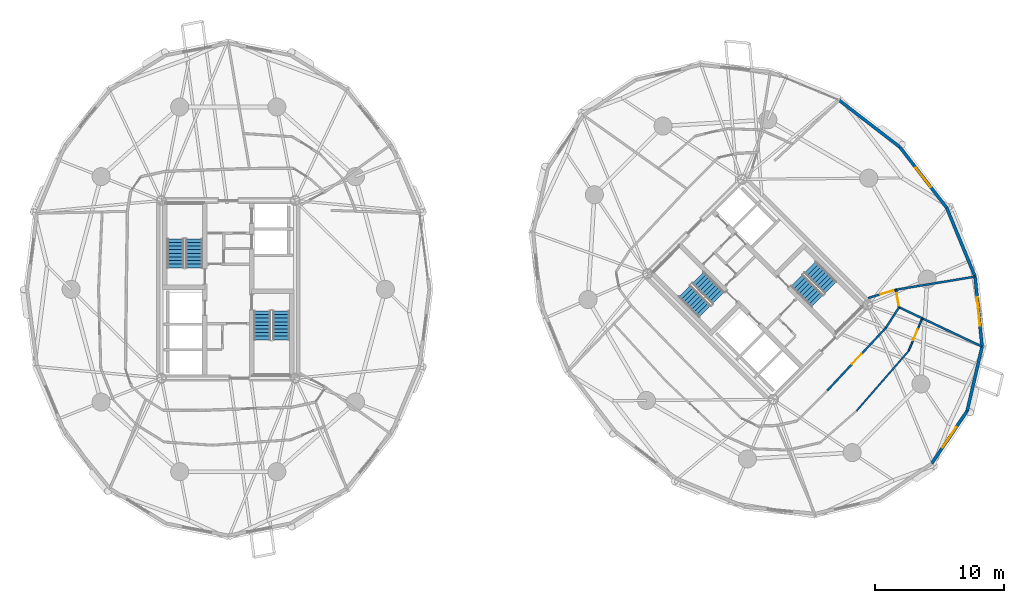
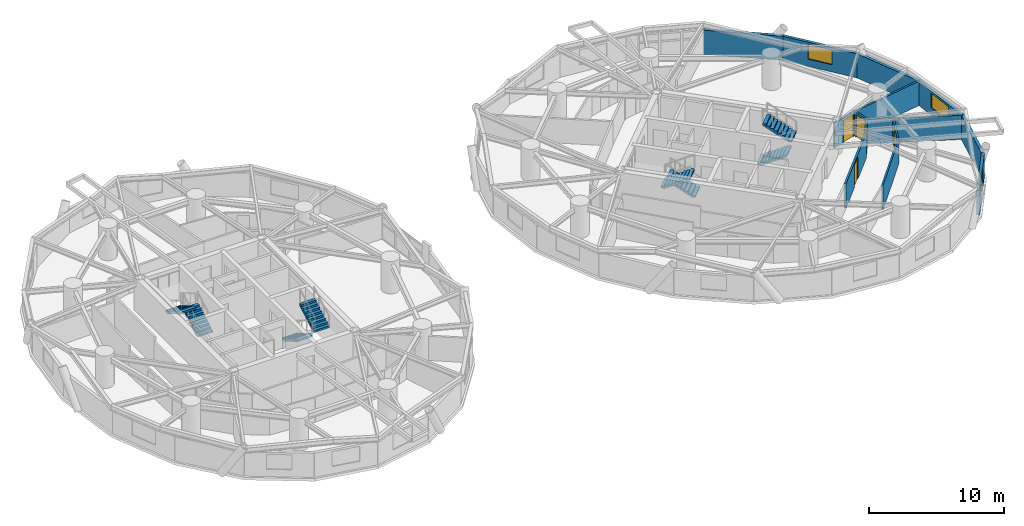
# One storey, part 15 of 17: 14 walls, 8 stair flights, 4 doors, 3 windows, 7 openings, 4 elements without a shape of their own.
"""IFC4 building model written with IfcOpenShell, lengths in metres."""

from ifc_helpers import new_model, si_unit, direction, frame, frame_2d, origin, place, context, subcontext, project, spatial, polyline, rectangle, outline, extrude, source, transform, mapped, material, layer, layer_set, type_object, element, fill, aggregate, save


model = new_model("IFC4")

# Units and contexts
model_context = context("Model", 3, precision=1e-05, world=origin(), true_north=direction((0.0, 1.0)))
body_context = subcontext(model_context, "Body", "Model", "MODEL_VIEW")
ifc_project = project(units=[si_unit("LENGTHUNIT", "METRE"), si_unit("AREAUNIT", "SQUARE_METRE"), si_unit("VOLUMEUNIT", "CUBIC_METRE"), si_unit("PLANEANGLEUNIT", "RADIAN"), si_unit("MASSUNIT", "GRAM", prefix="KILO")], contexts=[model_context])

# Site, building, storey
site_placement = place(None, origin())
site = spatial("IfcSite", under=ifc_project, at=site_placement, CompositionType="ELEMENT")
building_placement = place(site_placement, origin())
building = spatial("IfcBuilding", under=site, at=building_placement, Name="Cununo Teusaquillo Station Towers", CompositionType="ELEMENT")
storey_placement = place(building_placement, frame((0.0, 0.0, 107.97998046875)))
storey = spatial("IfcBuildingStorey", under=building, at=storey_placement, Name="L34", CompositionType="ELEMENT", Elevation=107.97998046875)

# Wall
ifc_material_1 = material(Name="Precast concrete C40/50", Category="concrete")
ifc_layer_1 = layer(ifc_material_1, 0.239990234375)
ifc_layer_set_1 = layer_set([ifc_layer_1], Name="Precast concrete C40/50")
wall_type_1 = type_object("IfcWallType", Name="WL-EXT-240", PredefinedType="SOLIDWALL", material=ifc_layer_set_1)
wall_1_placement = place(storey_placement, frame((63.811279296875, 39.145263671875, 0.0), z_axis=(0.0, 0.0, 1.0), x_axis=(0.791982052206, -0.61054437102, 0.0)))
element("IfcWall", 1, at=wall_1_placement, inside=storey, type_object=wall_type_1, Name="L34 Tower B Exterior Facade Wall C00", PredefinedType="SOLIDWALL", context=body_context, shape_type="SweptSolid", body=[
    extrude(rectangle(XDim=5.942138671875, YDim=0.239990234375, at=frame_2d((2.97119140625, 0.0))), origin(), (0.0, 0.0, 1.0), 2.178955078125),
])

# Wall, opening, window
wall_2_placement = place(storey_placement, frame((73.72900390625, 15.080078125, 0.0), z_axis=(0.0, 0.0, 1.0), x_axis=(-0.559572880421, -0.828781148131, 0.0)))
wall_2 = element("IfcWall", 2, at=wall_2_placement, inside=storey, type_object=wall_type_1, Name="L34 Tower B Exterior Facade Wall C15", PredefinedType="SOLIDWALL", context=body_context, shape_type="SweptSolid", body=[
    extrude(rectangle(XDim=4.904541015625, YDim=0.239990234375, at=frame_2d((2.4521484375, 0.0))), origin(), (0.0, 0.0, 1.0), 2.178955078125),
])
shared_shape_1 = source(origin(), body_context, "Body", "SweptSolid", [
    extrude(rectangle(XDim=1.89990234375, YDim=1.35009765625, at=frame_2d((0.949951171875, 0.675048828125))), frame((0.0, 0.1298828125, 0.0), z_axis=(0.0, -1.0, 0.0), x_axis=(1.0, 0.0, 0.0)), (0.0, 0.0, 1.0), 0.260009765625),
])
opening_1_placement = place(wall_2_placement, frame((1.501953125, 0.0, 0.64990234375)))
opening_1 = element("IfcOpeningElement", 3, at=opening_1_placement, cuts=wall_2, Name="Opening WN-02", PredefinedType="OPENING", context=body_context, shape_type="MappedRepresentation", body=[
    mapped(shared_shape_1, transform((0.0, 0.0, 0.0), x_axis=(1.0, 0.0, 0.0), y_axis=(0.0, 1.0, 0.0), z_axis=(0.0, 0.0, 1.0), scale=1.0)),
])
ifc_material_2 = material(Name="Operable acoustic tinted low-E double glazing", Category="glass")
window_type_1 = type_object("IfcWindowType", Name="WIN-OPER-1900", PartitioningType="DOUBLE_PANEL_VERTICAL", PredefinedType="WINDOW", material=ifc_material_2)
shared_shape_2 = source(origin(), body_context, "Body", "SweptSolid", [
    extrude(rectangle(XDim=1.89990234375, YDim=1.35009765625, at=frame_2d((0.949951171875, 0.675048828125))), frame((0.0, 0.030029296875, 0.0), z_axis=(0.0, -1.0, 0.0), x_axis=(1.0, 0.0, 0.0)), (0.0, 0.0, 1.0), 0.06005859375),
])
window_1_placement = place(opening_1_placement, origin())
window_1 = element("IfcWindow", 4, at=window_1_placement, inside=storey, type_object=window_type_1, Name="L34 Tower B Facade Window C15", OverallHeight=1.35009765625, OverallWidth=1.89990234375, PartitioningType="DOUBLE_PANEL_VERTICAL", PredefinedType="WINDOW", context=body_context, shape_type="MappedRepresentation", body=[
    mapped(shared_shape_2, transform((0.0, 0.0, 0.0), x_axis=(1.0, 0.0, 0.0), y_axis=(0.0, 1.0, 0.0), z_axis=(0.0, 0.0, 1.0), scale=1.0)),
])
fill(opening_1, window_1)

# Wall
wall_3_placement = place(storey_placement, frame((74.885009765625, 20.066650390625, 0.0), z_axis=(0.0, 0.0, 1.0), x_axis=(-0.225834725257, -0.974165631126, 0.0)))
element("IfcWall", 5, at=wall_3_placement, inside=storey, type_object=wall_type_1, Name="L34 Tower B Exterior Facade Wall C16", PredefinedType="SOLIDWALL", context=body_context, shape_type="SweptSolid", body=[
    extrude(rectangle(XDim=5.118896484375, YDim=0.239990234375, at=frame_2d((2.5595703125, 0.0))), origin(), (0.0, 0.0, 1.0), 2.178955078125),
])

# Wall, opening, window
wall_4_placement = place(storey_placement, frame((74.33935546875, 25.4873046875, 0.0), z_axis=(0.0, 0.0, 1.0), x_axis=(0.10015591906, -0.994971754311, 0.0)))
wall_4 = element("IfcWall", 6, at=wall_4_placement, inside=storey, type_object=wall_type_1, Name="L34 Tower B Exterior Facade Wall C17", PredefinedType="SOLIDWALL", context=body_context, shape_type="SweptSolid", body=[
    extrude(rectangle(XDim=5.447998046875, YDim=0.239990234375, at=frame_2d((2.72412109375, 0.0))), origin(), (0.0, 0.0, 1.0), 2.178955078125),
])
shared_shape_3 = source(origin(), body_context, "Body", "SweptSolid", [
    extrude(rectangle(XDim=2.199951171875, YDim=1.35009765625, at=frame_2d((1.10009765625, 0.675048828125))), frame((0.0, 0.1298828125, 0.0), z_axis=(0.0, -1.0, 0.0), x_axis=(1.0, 0.0, 0.0)), (0.0, 0.0, 1.0), 0.260009765625),
])
opening_2_placement = place(wall_4_placement, frame((1.6240234375, 0.0, 0.64990234375)))
opening_2 = element("IfcOpeningElement", 7, at=opening_2_placement, cuts=wall_4, Name="Opening WN-01", PredefinedType="OPENING", context=body_context, shape_type="MappedRepresentation", body=[
    mapped(shared_shape_3, transform((0.0, 0.0, 0.0), x_axis=(1.0, 0.0, 0.0), y_axis=(0.0, 1.0, 0.0), z_axis=(0.0, 0.0, 1.0), scale=1.0)),
])
ifc_material_3 = material(Name="Ceramic-fritted dark low-E double glazing", Category="glass")
window_type_2 = type_object("IfcWindowType", Name="WIN-FRIT-2200", PartitioningType="DOUBLE_PANEL_VERTICAL", PredefinedType="WINDOW", material=ifc_material_3)
shared_shape_4 = source(origin(), body_context, "Body", "SweptSolid", [
    extrude(rectangle(XDim=2.199951171875, YDim=1.35009765625, at=frame_2d((1.10009765625, 0.675048828125))), frame((0.0, 0.030029296875, 0.0), z_axis=(0.0, -1.0, 0.0), x_axis=(1.0, 0.0, 0.0)), (0.0, 0.0, 1.0), 0.06005859375),
])
window_2_placement = place(opening_2_placement, origin())
window_2 = element("IfcWindow", 8, at=window_2_placement, inside=storey, type_object=window_type_2, Name="L34 Tower B Facade Window C17", OverallHeight=1.35009765625, OverallWidth=2.199951171875, PartitioningType="DOUBLE_PANEL_VERTICAL", PredefinedType="WINDOW", context=body_context, shape_type="MappedRepresentation", body=[
    mapped(shared_shape_4, transform((0.0, 0.0, 0.0), x_axis=(1.0, 0.0, 0.0), y_axis=(0.0, 1.0, 0.0), z_axis=(0.0, 0.0, 1.0), scale=1.0)),
])
fill(opening_2, window_2)

# Wall
wall_5_placement = place(storey_placement, frame((72.145263671875, 30.811279296875, 0.0), z_axis=(0.0, 0.0, 1.0), x_axis=(0.381027003055, -0.924563909604, 0.0)))
element("IfcWall", 9, at=wall_5_placement, inside=storey, type_object=wall_type_1, Name="L34 Tower B Exterior Facade Wall C18", PredefinedType="SOLIDWALL", context=body_context, shape_type="SweptSolid", body=[
    extrude(rectangle(XDim=5.75830078125, YDim=0.239990234375, at=frame_2d((2.879150390625, 0.0))), origin(), (0.0, 0.0, 1.0), 2.178955078125),
])

# Wall, opening, window
wall_6_placement = place(storey_placement, frame((68.517333984375, 35.517333984375, 0.0), z_axis=(0.0, 0.0, 1.0), x_axis=(0.61054437102, -0.791982052206, 0.0)))
wall_6 = element("IfcWall", 10, at=wall_6_placement, inside=storey, type_object=wall_type_1, Name="L34 Tower B Exterior Facade Wall C19", PredefinedType="SOLIDWALL", context=body_context, shape_type="SweptSolid", body=[
    extrude(rectangle(XDim=5.942138671875, YDim=0.239990234375, at=frame_2d((2.97119140625, 0.0))), origin(), (0.0, 0.0, 1.0), 2.178955078125),
])
opening_3_placement = place(wall_6_placement, frame((2.02099609375, 0.0, 0.64990234375)))
opening_3 = element("IfcOpeningElement", 11, at=opening_3_placement, cuts=wall_6, Name="Opening WN-02", PredefinedType="OPENING", context=body_context, shape_type="MappedRepresentation", body=[
    mapped(shared_shape_1, transform((0.0, 0.0, 0.0), x_axis=(1.0, 0.0, 0.0), y_axis=(0.0, 1.0, 0.0), z_axis=(0.0, 0.0, 1.0), scale=1.0)),
])
window_3_placement = place(opening_3_placement, origin())
window_3 = element("IfcWindow", 12, at=window_3_placement, inside=storey, type_object=window_type_1, Name="L34 Tower B Facade Window C19", OverallHeight=1.35009765625, OverallWidth=1.89990234375, PartitioningType="DOUBLE_PANEL_VERTICAL", PredefinedType="WINDOW", context=body_context, shape_type="MappedRepresentation", body=[
    mapped(shared_shape_2, transform((0.0, 0.0, 0.0), x_axis=(1.0, 0.0, 0.0), y_axis=(0.0, 1.0, 0.0), z_axis=(0.0, 0.0, 1.0), scale=1.0)),
])
fill(opening_3, window_3)

# Wall
ifc_material_4 = material(Name="Fire-rated gypsum plasterboard partition assembly", Category="gypsum")
ifc_layer_2 = layer(ifc_material_4, 0.125)
ifc_layer_set_2 = layer_set([ifc_layer_2], Name="Fire-rated gypsum plasterboard partition assembly")
wall_type_2 = type_object("IfcWallType", Name="WL-PART-125", PredefinedType="PARTITIONING", material=ifc_layer_set_2)
wall_7_placement = place(storey_placement, frame((65.16162109375, 15.088134765625, 0.0), z_axis=(0.0, 0.0, 1.0), x_axis=(0.656379509785, 0.754430871011, 0.0)))
element("IfcWall", 13, at=wall_7_placement, inside=storey, type_object=wall_type_2, Name="L34 Tower B Cultural Attache Workplace Concentric Partition Wall C15", PredefinedType="PARTITIONING", context=body_context, shape_type="SweptSolid", body=[
    extrude(rectangle(XDim=6.14013671875, YDim=0.125, at=frame_2d((3.070068359375, 0.0))), origin(), (0.0, 0.0, 1.0), 2.22509765625),
])

# Wall, opening, door
wall_8_placement = place(storey_placement, frame((69.19189453125, 19.720458984375, 0.0), z_axis=(0.0, 0.0, 1.0), x_axis=(0.384899070029, 0.922958669655, 0.0)))
wall_8 = element("IfcWall", 14, at=wall_8_placement, inside=storey, type_object=wall_type_2, Name="L34 Tower B Cultural Attache Workplace Concentric Partition Wall C16", PredefinedType="PARTITIONING", context=body_context, shape_type="SweptSolid", body=[
    extrude(rectangle(XDim=2.749755859375, YDim=0.125, at=frame_2d((1.375, 0.0))), origin(), (0.0, 0.0, 1.0), 2.178955078125),
])
shared_shape_5 = source(origin(), body_context, "Body", "SweptSolid", [
    extrude(rectangle(XDim=0.89990234375, YDim=2.0048828125, at=frame_2d((0.449951171875, 1.00244140625))), frame((0.0, 0.072509765625, 0.0), z_axis=(0.0, -1.0, 0.0), x_axis=(1.0, 0.0, 0.0)), (0.0, 0.0, 1.0), 0.14501953125),
])
opening_4_placement = place(wall_8_placement, frame((0.9248046875, 0.0, 0.0)))
opening_4 = element("IfcOpeningElement", 15, at=opening_4_placement, cuts=wall_8, Name="Opening D-IN1", PredefinedType="OPENING", context=body_context, shape_type="MappedRepresentation", body=[
    mapped(shared_shape_5, transform((0.0, 0.0, 0.0), x_axis=(1.0, 0.0, 0.0), y_axis=(0.0, 1.0, 0.0), z_axis=(0.0, 0.0, 1.0), scale=1.0)),
])
ifc_material_5 = material(Name="Acoustic solid-core hardwood leaf assembly", Category="wood")
door_type_1 = type_object("IfcDoorType", Name="DR-INT-900", OperationType="NOTDEFINED", PredefinedType="DOOR", material=ifc_material_5)
shared_shape_6 = source(origin(), body_context, "Body", "SweptSolid", [
    extrude(rectangle(XDim=0.89990234375, YDim=2.0048828125, at=frame_2d((0.449951171875, 1.00244140625))), frame((0.0, 0.02490234375, 0.0), z_axis=(0.0, -1.0, 0.0), x_axis=(1.0, 0.0, 0.0)), (0.0, 0.0, 1.0), 0.050048828125),
])
door_1_placement = place(opening_4_placement, origin())
door_1 = element("IfcDoor", 16, at=door_1_placement, inside=storey, type_object=door_type_1, Name="L34 Tower B Cultural Attache Workplace Connecting Door", OperationType="SINGLE_SWING_RIGHT", OverallHeight=2.0048828125, OverallWidth=0.89990234375, PredefinedType="DOOR", context=body_context, shape_type="MappedRepresentation", body=[
    mapped(shared_shape_6, transform((0.0, 0.0, 0.0), x_axis=(1.0, 0.0, 0.0), y_axis=(0.0, 1.0, 0.0), z_axis=(0.0, 0.0, 1.0), scale=1.0)),
])
fill(opening_4, door_1)

ifc_material_6 = material(Name="Fire-rated gypsum plasterboard partition assembly", Category="gypsum")
ifc_layer_3 = layer(ifc_material_6, 0.14990234375)
ifc_layer_set_3 = layer_set([ifc_layer_3], Name="Fire-rated gypsum plasterboard partition assembly")
wall_type_3 = type_object("IfcWallType", Name="WL-PART-150", PredefinedType="PARTITIONING", material=ifc_layer_set_3)
wall_9_placement = place(storey_placement, frame((62.902587890625, 16.66650390625, 0.0), z_axis=(0.0, 0.0, 1.0), x_axis=(0.682371947497, 0.731005147225, 0.0)))
wall_9 = element("IfcWall", 17, at=wall_9_placement, inside=storey, type_object=wall_type_3, Name="L34 Tower B Corridor Ring Wall C15", PredefinedType="PARTITIONING", context=body_context, shape_type="SweptSolid", body=[
    extrude(rectangle(XDim=6.6416015625, YDim=0.14990234375, at=frame_2d((3.32080078125, 0.0))), origin(), (0.0, 0.0, 1.0), 2.22509765625),
])
shared_shape_7 = source(origin(), body_context, "Body", "SweptSolid", [
    extrude(rectangle(XDim=1.050048828125, YDim=2.014892578125, at=frame_2d((0.52490234375, 1.00732421875))), frame((0.0, 0.0849609375, 0.0), z_axis=(0.0, -1.0, 0.0), x_axis=(1.0, 0.0, 0.0)), (0.0, 0.0, 1.0), 0.169921875),
])
opening_5_placement = place(wall_9_placement, frame((2.7958984375, 0.0, 0.0)))
opening_5 = element("IfcOpeningElement", 18, at=opening_5_placement, cuts=wall_9, Name="Opening D-SU1", PredefinedType="OPENING", context=body_context, shape_type="MappedRepresentation", body=[
    mapped(shared_shape_7, transform((0.0, 0.0, 0.0), x_axis=(1.0, 0.0, 0.0), y_axis=(0.0, 1.0, 0.0), z_axis=(0.0, 0.0, 1.0), scale=1.0)),
])
ifc_material_7 = material(Name="Acoustic solid-core hardwood leaf assembly", Category="wood")
door_type_2 = type_object("IfcDoorType", Name="DR-SUITE-1050", OperationType="NOTDEFINED", PredefinedType="DOOR", material=ifc_material_7)
shared_shape_8 = source(origin(), body_context, "Body", "SweptSolid", [
    extrude(rectangle(XDim=1.050048828125, YDim=2.014892578125, at=frame_2d((0.52490234375, 1.00732421875))), frame((0.0, 0.02490234375, 0.0), z_axis=(0.0, -1.0, 0.0), x_axis=(1.0, 0.0, 0.0)), (0.0, 0.0, 1.0), 0.050048828125),
])
door_2_placement = place(opening_5_placement, origin())
door_2 = element("IfcDoor", 19, at=door_2_placement, inside=storey, type_object=door_type_2, Name="L34 Tower B Cultural Attache Workplace Entrance Door", OperationType="SINGLE_SWING_LEFT", OverallHeight=2.014892578125, OverallWidth=1.050048828125, PredefinedType="DOOR", context=body_context, shape_type="MappedRepresentation", body=[
    mapped(shared_shape_8, transform((0.0, 0.0, 0.0), x_axis=(1.0, 0.0, 0.0), y_axis=(0.0, 1.0, 0.0), z_axis=(0.0, 0.0, 1.0), scale=1.0)),
])
fill(opening_5, door_2)

# Wall
wall_10_placement = place(storey_placement, frame((67.4345703125, 21.521484375, 0.0), z_axis=(0.0, 0.0, 1.0), x_axis=(0.540777197838, 0.841165870859, 0.0)))
element("IfcWall", 20, at=wall_10_placement, inside=storey, type_object=wall_type_3, Name="L34 Tower B Corridor Ring Wall C16", PredefinedType="PARTITIONING", context=body_context, shape_type="SweptSolid", body=[
    extrude(rectangle(XDim=1.887939453125, YDim=0.14990234375, at=frame_2d((0.94384765625, 0.0))), origin(), (0.0, 0.0, 1.0), 2.22509765625),
])

# Wall, opening, door
wall_11_placement = place(storey_placement, frame((68.45556640625, 23.109619140625, 0.0), z_axis=(0.0, 0.0, 1.0), x_axis=(-0.1772522795, 0.984165448191, 0.0)))
wall_11 = element("IfcWall", 21, at=wall_11_placement, inside=storey, type_object=wall_type_3, Name="L34 Tower B Corridor Ring Wall C17", PredefinedType="PARTITIONING", context=body_context, shape_type="SweptSolid", body=[
    extrude(rectangle(XDim=1.381591796875, YDim=0.14990234375, at=frame_2d((0.69091796875, 0.0))), origin(), (0.0, 0.0, 1.0), 2.22509765625),
])
shared_shape_9 = source(origin(), body_context, "Body", "SweptSolid", [
    extrude(rectangle(XDim=1.0, YDim=2.014892578125, at=frame_2d((0.5, 1.00732421875))), frame((0.0, 0.0849609375, 0.0), z_axis=(0.0, -1.0, 0.0), x_axis=(1.0, 0.0, 0.0)), (0.0, 0.0, 1.0), 0.169921875),
])
opening_6_placement = place(wall_11_placement, frame((0.1201171875, 0.0, 0.0)))
opening_6 = element("IfcOpeningElement", 22, at=opening_6_placement, cuts=wall_11, Name="Opening D-AC1", PredefinedType="OPENING", context=body_context, shape_type="MappedRepresentation", body=[
    mapped(shared_shape_9, transform((0.0, 0.0, 0.0), x_axis=(1.0, 0.0, 0.0), y_axis=(0.0, 1.0, 0.0), z_axis=(0.0, 0.0, 1.0), scale=1.0)),
])
ifc_material_8 = material(Name="Acoustic solid-core hardwood leaf assembly", Category="wood")
door_type_3 = type_object("IfcDoorType", Name="DR-ACC-1000", OperationType="NOTDEFINED", PredefinedType="DOOR", material=ifc_material_8)
shared_shape_10 = source(origin(), body_context, "Body", "SweptSolid", [
    extrude(rectangle(XDim=1.0, YDim=2.014892578125, at=frame_2d((0.5, 1.00732421875))), frame((0.0, 0.02490234375, 0.0), z_axis=(0.0, -1.0, 0.0), x_axis=(1.0, 0.0, 0.0)), (0.0, 0.0, 1.0), 0.050048828125),
])
door_3_placement = place(opening_6_placement, origin())
door_3 = element("IfcDoor", 23, at=door_3_placement, inside=storey, type_object=door_type_3, Name="L34 Tower B Public Accessible Restroom WC Entrance Door", OperationType="SINGLE_SWING_LEFT", OverallHeight=2.014892578125, OverallWidth=1.0, PredefinedType="DOOR", context=body_context, shape_type="MappedRepresentation", body=[
    mapped(shared_shape_10, transform((0.0, 0.0, 0.0), x_axis=(1.0, 0.0, 0.0), y_axis=(0.0, 1.0, 0.0), z_axis=(0.0, 0.0, 1.0), scale=1.0)),
])
fill(opening_6, door_3)

# Walls
ifc_material_9 = material(Name="Fire-rated gypsum plasterboard partition assembly", Category="gypsum")
ifc_layer_4 = layer(ifc_material_9, 0.159912109375)
ifc_layer_set_4 = layer_set([ifc_layer_4], Name="Fire-rated gypsum plasterboard partition assembly")
wall_type_4 = type_object("IfcWallType", Name="WL-PART-160", PredefinedType="PARTITIONING", material=ifc_layer_set_4)
wall_12_placement = place(storey_placement, frame((68.45556640625, 23.109619140625, 0.0), z_axis=(0.0, 0.0, 1.0), x_axis=(0.903539425667, -0.428504966442, 0.0)))
element("IfcWall", 24, at=wall_12_placement, inside=storey, type_object=wall_type_4, Name="L34 Tower B Radial Suite Partition R06", PredefinedType="PARTITIONING", context=body_context, shape_type="SweptSolid", body=[
    extrude(rectangle(XDim=7.093994140625, YDim=0.159912109375, at=frame_2d((3.546875, 0.0))), origin(), (0.0, 0.0, 1.0), 2.178955078125),
])
wall_13_placement = place(storey_placement, frame((68.210693359375, 24.46923828125, 0.0), z_axis=(0.0, 0.0, 1.0), x_axis=(0.986479033329, 0.163887512651, 0.0)))
element("IfcWall", 25, at=wall_13_placement, inside=storey, type_object=wall_type_4, Name="L34 Tower B Radial Suite Partition R07", PredefinedType="PARTITIONING", context=body_context, shape_type="SweptSolid", body=[
    extrude(rectangle(XDim=6.192626953125, YDim=0.159912109375, at=frame_2d((3.09619140625, 0.0))), origin(), (0.0, 0.0, 1.0), 2.178955078125),
])

# Wall, opening, door
wall_14_placement = place(storey_placement, frame((66.055908203125, 23.828125, 0.0), z_axis=(0.0, 0.0, 1.0), x_axis=(0.958475403544, 0.285175210708, 0.0)))
wall_14 = element("IfcWall", 26, at=wall_14_placement, inside=storey, type_object=wall_type_4, Name="L34 Tower B East Salon Corridor Portal Wall SE", PredefinedType="PARTITIONING", context=body_context, shape_type="SweptSolid", body=[
    extrude(rectangle(XDim=2.248046875, YDim=0.159912109375, at=frame_2d((1.1240234375, 0.0))), origin(), (0.0, 0.0, 1.0), 2.22509765625),
])
shared_shape_11 = source(origin(), body_context, "Body", "SweptSolid", [
    extrude(rectangle(XDim=1.050048828125, YDim=2.014892578125, at=frame_2d((0.52490234375, 1.00732421875))), frame((0.0, 0.08984375, 0.0), z_axis=(0.0, -1.0, 0.0), x_axis=(1.0, 0.0, 0.0)), (0.0, 0.0, 1.0), 0.179931640625),
])
opening_7_placement = place(wall_14_placement, frame((0.998046875, 0.0, 0.0)))
opening_7 = element("IfcOpeningElement", 27, at=opening_7_placement, cuts=wall_14, Name="Opening D-SU1", PredefinedType="OPENING", context=body_context, shape_type="MappedRepresentation", body=[
    mapped(shared_shape_11, transform((0.0, 0.0, 0.0), x_axis=(1.0, 0.0, 0.0), y_axis=(0.0, 1.0, 0.0), z_axis=(0.0, 0.0, 1.0), scale=1.0)),
])
door_4_placement = place(opening_7_placement, origin())
door_4 = element("IfcDoor", 28, at=door_4_placement, inside=storey, type_object=door_type_2, Name="L34 Tower B East Panorama Sky Salon Door SE", OperationType="SINGLE_SWING_LEFT", OverallHeight=2.014892578125, OverallWidth=1.050048828125, PredefinedType="DOOR", context=body_context, shape_type="MappedRepresentation", body=[
    mapped(shared_shape_8, transform((0.0, 0.0, 0.0), x_axis=(1.0, 0.0, 0.0), y_axis=(0.0, 1.0, 0.0), z_axis=(0.0, 0.0, 1.0), scale=1.0)),
])
fill(opening_7, door_4)

# Stair, stair flights
ifc_material_10 = material(Name="Concrete C50/60", Category="concrete")
stair_type = type_object("IfcStairType", Name="ST-TWR-1300", PredefinedType="HALF_TURN_STAIR", material=ifc_material_10)
stair_1_placement = place(storey_placement, origin())
stair_1 = element("IfcStair", 29, at=stair_1_placement, inside=storey, type_object=stair_type, Name="L34 Tower A Protected Core Exit Stair 1", PredefinedType="HALF_TURN_STAIR")
ifc_material_11 = material(Name="Concrete C50/60", Category="concrete")
stair_flight_type = type_object("IfcStairFlightType", Name="SFL-TWR-1300", PredefinedType="STRAIGHT", material=ifc_material_11)
stair_flight_1_placement = place(storey_placement, frame((13.8701171875, 26.169921875, 0.0), z_axis=(0.0, 0.0, 1.0), x_axis=(0.0, 1.0, 0.0)))
stair_flight_1 = element("IfcStairFlight", 30, at=stair_flight_1_placement, type_object=stair_flight_type, Name="ST-T1-1 flight 1", NumberOfRisers=9, NumberOfTreads=8, PredefinedType="STRAIGHT", RiserHeight=0.161666667, TreadLength=0.28, context=body_context, shape_type="SweptSolid", body=[
    extrude(outline(polyline([(0.0, 0.0), (0.0, 0.16162109375), (0.280029296875, 0.16162109375), (0.280029296875, 0.3232421875), (0.56005859375, 0.3232421875), (0.56005859375, 0.485107421875), (0.840087890625, 0.485107421875), (0.840087890625, 0.646728515625), (1.1201171875, 0.646728515625), (1.1201171875, 0.808349609375), (1.39990234375, 0.808349609375), (1.39990234375, 0.969970703125), (1.679931640625, 0.969970703125), (1.679931640625, 1.131591796875), (1.9599609375, 1.131591796875), (1.9599609375, 1.293212890625), (2.239990234375, 1.293212890625), (2.239990234375, 1.455078125), (2.239990234375, 1.1201171875), (0.2998046875, 0.0), (0.0, 0.0)])), frame((0.0, 0.64990234375, 0.0), z_axis=(0.0, -1.0, 0.0), x_axis=(1.0, 0.0, 0.0)), (0.0, 0.0, 1.0), 1.300048828125),
])
stair_flight_2_placement = place(storey_placement, frame((12.409912109375, 28.409912109375, 1.455078125), z_axis=(0.0, 0.0, 1.0), x_axis=(0.0, -1.0, 0.0)))
stair_flight_2 = element("IfcStairFlight", 31, at=stair_flight_2_placement, type_object=stair_flight_type, Name="ST-T1-1 flight 2", NumberOfRisers=9, NumberOfTreads=8, PredefinedType="STRAIGHT", RiserHeight=0.161666667, TreadLength=0.28, context=body_context, shape_type="SweptSolid", body=[
    extrude(outline(polyline([(0.0, 0.0), (0.0, 0.16162109375), (0.280029296875, 0.16162109375), (0.280029296875, 0.3232421875), (0.56005859375, 0.3232421875), (0.56005859375, 0.485107421875), (0.840087890625, 0.485107421875), (0.840087890625, 0.646728515625), (1.1201171875, 0.646728515625), (1.1201171875, 0.808349609375), (1.39990234375, 0.808349609375), (1.39990234375, 0.969970703125), (1.679931640625, 0.969970703125), (1.679931640625, 1.131591796875), (1.9599609375, 1.131591796875), (1.9599609375, 1.293212890625), (2.239990234375, 1.293212890625), (2.239990234375, 1.455078125), (2.239990234375, 1.1201171875), (0.2998046875, 0.0), (0.0, 0.0)])), frame((0.0, 0.64990234375, 0.0), z_axis=(0.0, -1.0, 0.0), x_axis=(1.0, 0.0, 0.0)), (0.0, 0.0, 1.0), 1.300048828125),
])
aggregate(stair_1, [stair_flight_1, stair_flight_2])

stair_2_placement = place(storey_placement, origin())
stair_2 = element("IfcStair", 32, at=stair_2_placement, inside=storey, type_object=stair_type, Name="L34 Tower A Protected Core Exit Stair 2", PredefinedType="HALF_TURN_STAIR")
stair_flight_3_placement = place(storey_placement, frame((19.1298828125, 22.830078125, 0.0), z_axis=(0.0, 0.0, 1.0), x_axis=(0.0, -1.0, 0.0)))
stair_flight_3 = element("IfcStairFlight", 33, at=stair_flight_3_placement, type_object=stair_flight_type, Name="ST-T1-2 flight 1", NumberOfRisers=9, NumberOfTreads=8, PredefinedType="STRAIGHT", RiserHeight=0.161666667, TreadLength=0.28, context=body_context, shape_type="SweptSolid", body=[
    extrude(outline(polyline([(0.0, 0.0), (0.0, 0.16162109375), (0.280029296875, 0.16162109375), (0.280029296875, 0.3232421875), (0.56005859375, 0.3232421875), (0.56005859375, 0.485107421875), (0.840087890625, 0.485107421875), (0.840087890625, 0.646728515625), (1.1201171875, 0.646728515625), (1.1201171875, 0.808349609375), (1.39990234375, 0.808349609375), (1.39990234375, 0.969970703125), (1.679931640625, 0.969970703125), (1.679931640625, 1.131591796875), (1.9599609375, 1.131591796875), (1.9599609375, 1.293212890625), (2.239990234375, 1.293212890625), (2.239990234375, 1.455078125), (2.239990234375, 1.1201171875), (0.2998046875, 0.0), (0.0, 0.0)])), frame((0.0, 0.64990234375, 0.0), z_axis=(0.0, -1.0, 0.0), x_axis=(1.0, 0.0, 0.0)), (0.0, 0.0, 1.0), 1.300048828125),
])
stair_flight_4_placement = place(storey_placement, frame((20.590087890625, 20.590087890625, 1.455078125), z_axis=(0.0, 0.0, 1.0), x_axis=(0.0, 1.0, 0.0)))
stair_flight_4 = element("IfcStairFlight", 34, at=stair_flight_4_placement, type_object=stair_flight_type, Name="ST-T1-2 flight 2", NumberOfRisers=9, NumberOfTreads=8, PredefinedType="STRAIGHT", RiserHeight=0.161666667, TreadLength=0.28, context=body_context, shape_type="SweptSolid", body=[
    extrude(outline(polyline([(0.0, 0.0), (0.0, 0.16162109375), (0.280029296875, 0.16162109375), (0.280029296875, 0.3232421875), (0.56005859375, 0.3232421875), (0.56005859375, 0.485107421875), (0.840087890625, 0.485107421875), (0.840087890625, 0.646728515625), (1.1201171875, 0.646728515625), (1.1201171875, 0.808349609375), (1.39990234375, 0.808349609375), (1.39990234375, 0.969970703125), (1.679931640625, 0.969970703125), (1.679931640625, 1.131591796875), (1.9599609375, 1.131591796875), (1.9599609375, 1.293212890625), (2.239990234375, 1.293212890625), (2.239990234375, 1.455078125), (2.239990234375, 1.1201171875), (0.2998046875, 0.0), (0.0, 0.0)])), frame((0.0, 0.64990234375, 0.0), z_axis=(0.0, -1.0, 0.0), x_axis=(1.0, 0.0, 0.0)), (0.0, 0.0, 1.0), 1.300048828125),
])
aggregate(stair_2, [stair_flight_3, stair_flight_4])

stair_3_placement = place(storey_placement, origin())
stair_3 = element("IfcStair", 35, at=stair_3_placement, inside=storey, type_object=stair_type, Name="L34 Tower B Protected Core Exit Stair 1", PredefinedType="HALF_TURN_STAIR")
stair_flight_5_placement = place(storey_placement, frame((54.45947265625, 23.8212890625, 0.0), z_axis=(0.0, 0.0, 1.0), x_axis=(-0.707106781187, 0.707106781187, 0.0)))
stair_flight_5 = element("IfcStairFlight", 36, at=stair_flight_5_placement, type_object=stair_flight_type, Name="ST-T2-1 flight 1", NumberOfRisers=9, NumberOfTreads=8, PredefinedType="STRAIGHT", RiserHeight=0.161666667, TreadLength=0.28, context=body_context, shape_type="SweptSolid", body=[
    extrude(outline(polyline([(0.0, 0.0), (0.0, 0.16162109375), (0.280029296875, 0.16162109375), (0.280029296875, 0.3232421875), (0.56005859375, 0.3232421875), (0.56005859375, 0.485107421875), (0.840087890625, 0.485107421875), (0.840087890625, 0.646728515625), (1.1201171875, 0.646728515625), (1.1201171875, 0.808349609375), (1.39990234375, 0.808349609375), (1.39990234375, 0.969970703125), (1.679931640625, 0.969970703125), (1.679931640625, 1.131591796875), (1.9599609375, 1.131591796875), (1.9599609375, 1.293212890625), (2.239990234375, 1.293212890625), (2.239990234375, 1.455078125), (2.239990234375, 1.1201171875), (0.2998046875, 0.0), (0.0, 0.0)])), frame((0.0, 0.64990234375, 0.0), z_axis=(0.0, -1.0, 0.0), x_axis=(1.0, 0.0, 0.0)), (0.0, 0.0, 1.0), 1.300048828125),
])
stair_flight_6_placement = place(storey_placement, frame((51.84326171875, 24.372802734375, 1.455078125), z_axis=(0.0, 0.0, 1.0), x_axis=(0.707106781187, -0.707106781187, 0.0)))
stair_flight_6 = element("IfcStairFlight", 37, at=stair_flight_6_placement, type_object=stair_flight_type, Name="ST-T2-1 flight 2", NumberOfRisers=9, NumberOfTreads=8, PredefinedType="STRAIGHT", RiserHeight=0.161666667, TreadLength=0.28, context=body_context, shape_type="SweptSolid", body=[
    extrude(outline(polyline([(0.0, 0.0), (0.0, 0.16162109375), (0.280029296875, 0.16162109375), (0.280029296875, 0.3232421875), (0.56005859375, 0.3232421875), (0.56005859375, 0.485107421875), (0.840087890625, 0.485107421875), (0.840087890625, 0.646728515625), (1.1201171875, 0.646728515625), (1.1201171875, 0.808349609375), (1.39990234375, 0.808349609375), (1.39990234375, 0.969970703125), (1.679931640625, 0.969970703125), (1.679931640625, 1.131591796875), (1.9599609375, 1.131591796875), (1.9599609375, 1.293212890625), (2.239990234375, 1.293212890625), (2.239990234375, 1.455078125), (2.239990234375, 1.1201171875), (0.2998046875, 0.0), (0.0, 0.0)])), frame((0.0, 0.64990234375, 0.0), z_axis=(0.0, -1.0, 0.0), x_axis=(1.0, 0.0, 0.0)), (0.0, 0.0, 1.0), 1.300048828125),
])
aggregate(stair_3, [stair_flight_5, stair_flight_6])

stair_4_placement = place(storey_placement, origin())
stair_4 = element("IfcStair", 38, at=stair_4_placement, inside=storey, type_object=stair_type, Name="L34 Tower B Protected Core Exit Stair 2", PredefinedType="HALF_TURN_STAIR")
stair_flight_7_placement = place(storey_placement, frame((60.54052734375, 25.1787109375, 0.0), z_axis=(0.0, 0.0, 1.0), x_axis=(0.707106781187, -0.707106781187, 0.0)))
stair_flight_7 = element("IfcStairFlight", 39, at=stair_flight_7_placement, type_object=stair_flight_type, Name="ST-T2-2 flight 1", NumberOfRisers=9, NumberOfTreads=8, PredefinedType="STRAIGHT", RiserHeight=0.161666667, TreadLength=0.28, context=body_context, shape_type="SweptSolid", body=[
    extrude(outline(polyline([(0.0, 0.0), (0.0, 0.16162109375), (0.280029296875, 0.16162109375), (0.280029296875, 0.3232421875), (0.56005859375, 0.3232421875), (0.56005859375, 0.485107421875), (0.840087890625, 0.485107421875), (0.840087890625, 0.646728515625), (1.1201171875, 0.646728515625), (1.1201171875, 0.808349609375), (1.39990234375, 0.808349609375), (1.39990234375, 0.969970703125), (1.679931640625, 0.969970703125), (1.679931640625, 1.131591796875), (1.9599609375, 1.131591796875), (1.9599609375, 1.293212890625), (2.239990234375, 1.293212890625), (2.239990234375, 1.455078125), (2.239990234375, 1.1201171875), (0.2998046875, 0.0), (0.0, 0.0)])), frame((0.0, 0.64990234375, 0.0), z_axis=(0.0, -1.0, 0.0), x_axis=(1.0, 0.0, 0.0)), (0.0, 0.0, 1.0), 1.300048828125),
])
stair_flight_8_placement = place(storey_placement, frame((63.15673828125, 24.627197265625, 1.455078125), z_axis=(0.0, 0.0, 1.0), x_axis=(-0.707106781187, 0.707106781187, 0.0)))
stair_flight_8 = element("IfcStairFlight", 40, at=stair_flight_8_placement, type_object=stair_flight_type, Name="ST-T2-2 flight 2", NumberOfRisers=9, NumberOfTreads=8, PredefinedType="STRAIGHT", RiserHeight=0.161666667, TreadLength=0.28, context=body_context, shape_type="SweptSolid", body=[
    extrude(outline(polyline([(0.0, 0.0), (0.0, 0.16162109375), (0.280029296875, 0.16162109375), (0.280029296875, 0.3232421875), (0.56005859375, 0.3232421875), (0.56005859375, 0.485107421875), (0.840087890625, 0.485107421875), (0.840087890625, 0.646728515625), (1.1201171875, 0.646728515625), (1.1201171875, 0.808349609375), (1.39990234375, 0.808349609375), (1.39990234375, 0.969970703125), (1.679931640625, 0.969970703125), (1.679931640625, 1.131591796875), (1.9599609375, 1.131591796875), (1.9599609375, 1.293212890625), (2.239990234375, 1.293212890625), (2.239990234375, 1.455078125), (2.239990234375, 1.1201171875), (0.2998046875, 0.0), (0.0, 0.0)])), frame((0.0, 0.64990234375, 0.0), z_axis=(0.0, -1.0, 0.0), x_axis=(1.0, 0.0, 0.0)), (0.0, 0.0, 1.0), 1.300048828125),
])
aggregate(stair_4, [stair_flight_7, stair_flight_8])

save(model, "model.ifc")
